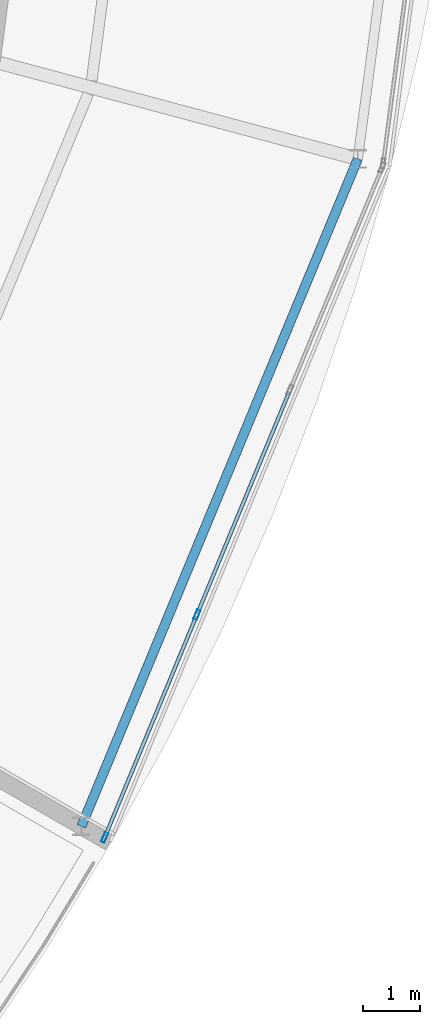
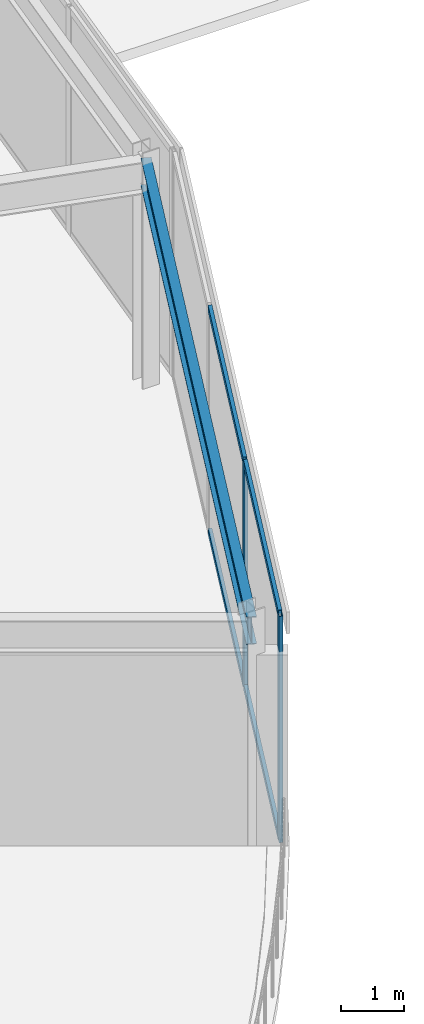
# One storey, part 37 of 133: 6 members, 1 beam, 1 element without a shape of its own.
"""IFC4 building model written with IfcOpenShell, lengths in metres."""

from ifc_helpers import new_model, si_unit, direction, frame, origin, origin_2d, place, context, subcontext, project, spatial, hollow_rectangle, i_section, extrude, material, material_profile, profile_set, type_object, element, aggregate, save


model = new_model("IFC4")

# Units and contexts
model_context = context("Model", 3, precision=1e-05, world=origin(), true_north=direction((0.0, 1.0)))
body_context = subcontext(model_context, "Body", "Model", "MODEL_VIEW")
ifc_project = project(units=[si_unit("LENGTHUNIT", "METRE"), si_unit("AREAUNIT", "SQUARE_METRE"), si_unit("VOLUMEUNIT", "CUBIC_METRE"), si_unit("PLANEANGLEUNIT", "RADIAN"), si_unit("MASSUNIT", "GRAM", prefix="KILO")], contexts=[model_context])

# Site, building, storey
site_placement = place(None, origin())
site = spatial("IfcSite", under=ifc_project, at=site_placement, CompositionType="ELEMENT")
building_placement = place(site_placement, origin())
building = spatial("IfcBuilding", under=site, at=building_placement, Name="Almandine Court Research Institute", CompositionType="ELEMENT")
storey_placement = place(building_placement, frame((0.0, 0.0, 9.800048828125)))
storey = spatial("IfcBuildingStorey", under=building, at=storey_placement, Name="L02", CompositionType="ELEMENT", Elevation=9.800048828125)

# Beam
ifc_material_1 = material(Name="Steel ASTM A992 Grade 50", Category="steel")
ifc_material_profile_1 = material_profile(ifc_material_1, i_section(OverallWidth=0.166015625, OverallDepth=0.534912109375, WebThickness=0.010009765625, FlangeThickness=0.01708984375, at=origin_2d()), Name="W530x85")
ifc_profile_set_1 = profile_set([ifc_material_profile_1], Name="Steel ASTM A992 Grade 50")
beam_type = type_object("IfcBeamType", Name="Beam-G-05-E", PredefinedType="SPANDREL", material=ifc_profile_set_1)
beam_placement = place(storey_placement, frame((129.34912109375, 31.550048828125, 4.054931640625), z_axis=(0.382653578879, 0.923891897665, 0.0), x_axis=(-0.923891897665, 0.382653578879, 0.0)))
element("IfcBeam", 1, at=beam_placement, inside=storey, type_object=beam_type, Name="L02 Drum OUT Ring Beam 22", PredefinedType="SPANDREL", context=body_context, shape_type="SweptSolid", body=[
    extrude(i_section(OverallWidth=0.166015625, OverallDepth=0.534912109375, WebThickness=0.010009765625, FlangeThickness=0.01708984375, at=origin_2d()), origin(), (0.0, 0.0, 1.0), 12.765625),
])

# Curtain wall, members
ifc_material_2 = material(Name="Unitised Curtain Wall Framing and Solar Glazing", Category="glass")
curtain_wall_type = type_object("IfcCurtainWallType", Name="CW-CWJ-19", PredefinedType="USERDEFINED", material=ifc_material_2)
curtain_wall_placement = place(storey_placement, origin())
curtain_wall = element("IfcCurtainWall", 2, at=curtain_wall_placement, inside=storey, type_object=curtain_wall_type, Name="L02 Stacked-Ring Drum Outer Solar Jali Screen 22", ObjectType="SOLAR JALI SCREEN", PredefinedType="USERDEFINED")
ifc_material_3 = material(Name="Anodised Aluminium AW-6063-T6", Category="aluminium")
ifc_material_profile_2 = material_profile(ifc_material_3, hollow_rectangle(XDim=0.06494140625, YDim=0.179931640625, WallThickness=0.00390625, at=origin_2d()), Name="ALU RHS 65x180x4")
ifc_profile_set_2 = profile_set([ifc_material_profile_2], Name="Anodised Aluminium AW-6063-T6")
member_type_1 = type_object("IfcMemberType", Name="CWMul-65x180", PredefinedType="MULLION", material=ifc_profile_set_2)
member_1_placement = place(storey_placement, frame((131.3916015625, 35.2890625, 0.0), z_axis=(0.0, 0.0, 1.0), x_axis=(0.923888124321, -0.382662689242, 0.0)))
member_1 = element("IfcMember", 3, at=member_1_placement, type_object=member_type_1, Name="CWJ-19 mullion 3", PredefinedType="MULLION", context=body_context, shape_type="SweptSolid", body=[
    extrude(hollow_rectangle(XDim=0.06494140625, YDim=0.179931640625, WallThickness=0.00390625, at=origin_2d()), origin(), (0.0, 0.0, 1.0), 4.369873046875),
])
member_2_placement = place(storey_placement, frame((129.761474609375, 31.35302734375, 0.0), z_axis=(0.0, 0.0, 1.0), x_axis=(0.923888124321, -0.382662689242, 0.0)))
member_2 = element("IfcMember", 4, at=member_2_placement, type_object=member_type_1, Name="CWJ-19 mullion 4", PredefinedType="MULLION", context=body_context, shape_type="SweptSolid", body=[
    extrude(hollow_rectangle(XDim=0.06494140625, YDim=0.179931640625, WallThickness=0.00390625, at=origin_2d()), origin(), (0.0, 0.0, 1.0), 4.369873046875),
])
ifc_material_profile_3 = material_profile(ifc_material_3, hollow_rectangle(XDim=0.06494140625, YDim=0.1298828125, WallThickness=0.00390625, at=origin_2d()), Name="ALU RHS 65x130x4")
ifc_profile_set_3 = profile_set([ifc_material_profile_3], Name="Anodised Aluminium AW-6063-T6")
member_type_2 = type_object("IfcMemberType", Name="CWTrn-65x130", PredefinedType="NOTDEFINED", material=ifc_profile_set_3)
member_3_placement = place(storey_placement, frame((133.02197265625, 39.224853515625, 0.032470703125), z_axis=(-0.382703712437, -0.92387113197, 0.0), x_axis=(0.92387113197, -0.382703712437, 0.0)))
member_3 = element("IfcMember", 5, at=member_3_placement, type_object=member_type_2, Name="CWJ-19 transom 2.1", ObjectType="TRANSOM", PredefinedType="USERDEFINED", context=body_context, shape_type="SweptSolid", body=[
    extrude(hollow_rectangle(XDim=0.06494140625, YDim=0.1298828125, WallThickness=0.00390625, at=origin_2d()), origin(), (0.0, 0.0, 1.0), 4.2275390625),
])
member_4_placement = place(storey_placement, frame((133.02197265625, 39.224853515625, 4.33740234375), z_axis=(-0.382703712437, -0.92387113197, 0.0), x_axis=(0.92387113197, -0.382703712437, 0.0)))
member_4 = element("IfcMember", 6, at=member_4_placement, type_object=member_type_2, Name="CWJ-19 transom 2.2", ObjectType="TRANSOM", PredefinedType="USERDEFINED", context=body_context, shape_type="SweptSolid", body=[
    extrude(hollow_rectangle(XDim=0.06494140625, YDim=0.1298828125, WallThickness=0.00390625, at=origin_2d()), origin(), (0.0, 0.0, 1.0), 4.2275390625),
])
member_5_placement = place(storey_placement, frame((131.379150390625, 35.259033203125, 0.032470703125), z_axis=(-0.382631051398, -0.923901227679, 0.0), x_axis=(0.923901227679, -0.382631051398, 0.0)))
member_5 = element("IfcMember", 7, at=member_5_placement, type_object=member_type_2, Name="CWJ-19 transom 3.1", ObjectType="TRANSOM", PredefinedType="USERDEFINED", context=body_context, shape_type="SweptSolid", body=[
    extrude(hollow_rectangle(XDim=0.06494140625, YDim=0.1298828125, WallThickness=0.00390625, at=origin_2d()), origin(), (0.0, 0.0, 1.0), 4.1953125),
])
member_6_placement = place(storey_placement, frame((131.379150390625, 35.259033203125, 4.33740234375), z_axis=(-0.382631051398, -0.923901227679, 0.0), x_axis=(0.923901227679, -0.382631051398, 0.0)))
member_6 = element("IfcMember", 8, at=member_6_placement, type_object=member_type_2, Name="CWJ-19 transom 3.2", ObjectType="TRANSOM", PredefinedType="USERDEFINED", context=body_context, shape_type="SweptSolid", body=[
    extrude(hollow_rectangle(XDim=0.06494140625, YDim=0.1298828125, WallThickness=0.00390625, at=origin_2d()), origin(), (0.0, 0.0, 1.0), 4.1953125),
])
aggregate(curtain_wall, [member_1, member_2, member_3, member_4, member_5, member_6])

save(model, "model.ifc")
